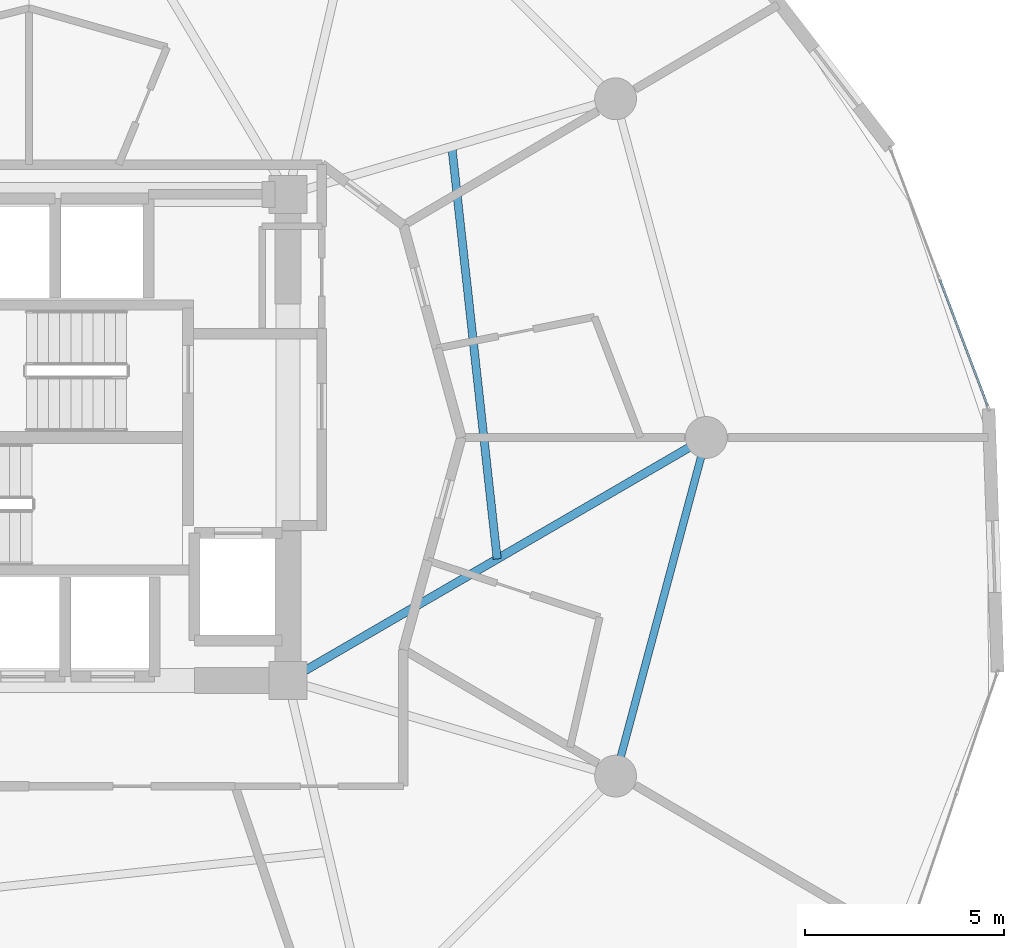
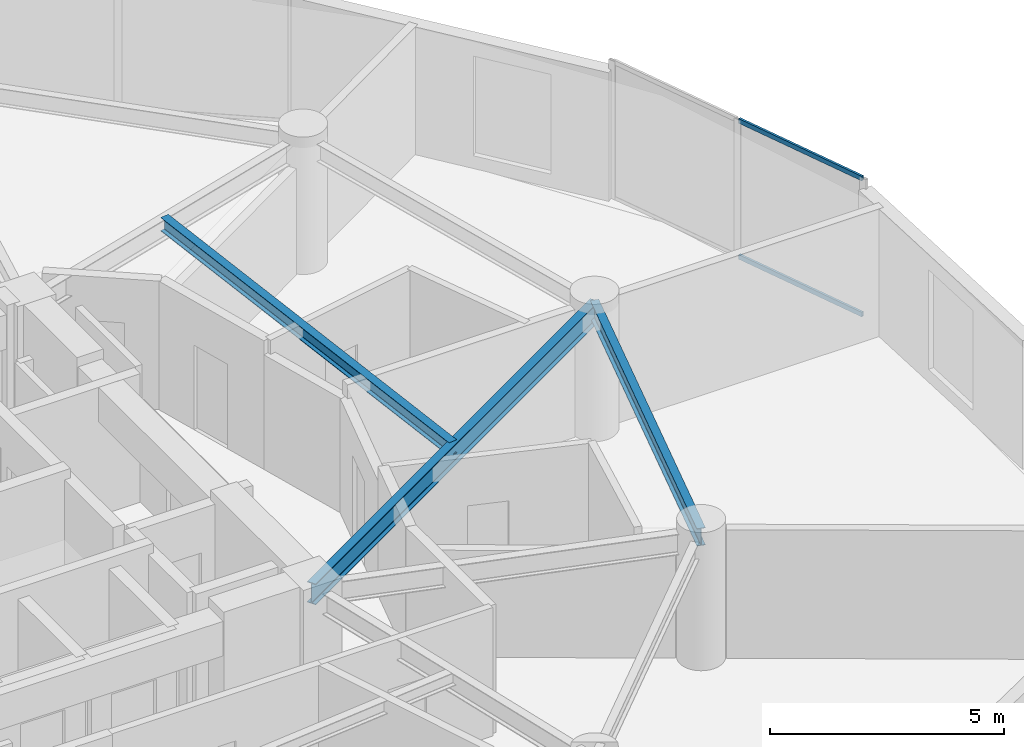
# One storey, part 12 of 25: 3 beams, 2 members, 1 element without a shape of its own.
"""IFC4 building model written with IfcOpenShell, lengths in metres."""

from ifc_helpers import new_model, si_unit, direction, frame, origin, origin_2d, place, context, subcontext, project, spatial, hollow_rectangle, i_section, extrude, source, transform, mapped, material, layer, layer_set, material_profile, profile_set, type_object, element, aggregate, save


model = new_model("IFC4")

# Units and contexts
model_context = context("Model", 3, precision=1e-05, world=origin(), true_north=direction((0.0, 1.0)))
body_context = subcontext(model_context, "Body", "Model", "MODEL_VIEW")
ifc_project = project(units=[si_unit("LENGTHUNIT", "METRE"), si_unit("AREAUNIT", "SQUARE_METRE"), si_unit("VOLUMEUNIT", "CUBIC_METRE"), si_unit("PLANEANGLEUNIT", "RADIAN"), si_unit("MASSUNIT", "GRAM", prefix="KILO")], contexts=[model_context])

# Site, building, storey
site_placement = place(None, origin())
site = spatial("IfcSite", under=ifc_project, at=site_placement, CompositionType="ELEMENT")
building_placement = place(site_placement, origin())
building = spatial("IfcBuilding", under=site, at=building_placement, Name="Solvirekh Grand Hotel", CompositionType="ELEMENT")
storey_placement = place(building_placement, frame((0.0, 0.0, 102.60009765625)))
storey = spatial("IfcBuildingStorey", under=building, at=storey_placement, Name="L25", CompositionType="ELEMENT", Elevation=102.60009765625)

# Beams
ifc_material_1 = material(Name="Steel S355", Category="steel")
ifc_material_profile_1 = material_profile(ifc_material_1, i_section(OverallWidth=0.2119140625, OverallDepth=0.5439453125, WebThickness=0.011962890625, FlangeThickness=0.01904296875, FilletRadius=0.013916015625, at=origin_2d()), Name="W530X123")
ifc_profile_set_1 = profile_set([ifc_material_profile_1], Name="Steel S355")
beam_type_1 = type_object("IfcBeamType", Name="Beam_Radial_W530H", PredefinedType="BEAM", material=ifc_profile_set_1)
beam_1_placement = place(storey_placement, frame((6.5, -6.10009765625, 3.077880859375), z_axis=(0.864670076815, 0.50234018181, 0.0), x_axis=(-0.50234018181, 0.864670076815, 0.0)))
element("IfcBeam", 1, at=beam_1_placement, inside=storey, type_object=beam_type_1, Name="L25 radial floor beam R01", PredefinedType="BEAM", context=body_context, shape_type="SweptSolid", body=[
    extrude(i_section(OverallWidth=0.2119140625, OverallDepth=0.5439453125, WebThickness=0.011962890625, FlangeThickness=0.01904296875, FilletRadius=0.013916015625, at=origin_2d()), origin(), (0.0, 0.0, 1.0), 12.143310546875),
])
ifc_material_profile_2 = material_profile(ifc_material_1, i_section(OverallWidth=0.2041015625, OverallDepth=0.35009765625, WebThickness=0.009033203125, FlangeThickness=0.014892578125, FilletRadius=0.010986328125, at=origin_2d()), Name="W360X72")
ifc_profile_set_2 = profile_set([ifc_material_profile_2], Name="Steel S355")
beam_type_2 = type_object("IfcBeamType", Name="Joist_Floor_W360", PredefinedType="JOIST", material=ifc_profile_set_2)
beam_2_placement = place(storey_placement, frame((11.75, -3.050048828125, 3.1748046875), z_axis=(-0.109378935301, 0.994000125006, 0.0), x_axis=(-0.994000125006, -0.109378935301, 0.0)))
element("IfcBeam", 2, at=beam_2_placement, inside=storey, type_object=beam_type_2, Name="L25 secondary composite floor joist 1", PredefinedType="JOIST", context=body_context, shape_type="SweptSolid", body=[
    extrude(i_section(OverallWidth=0.2041015625, OverallDepth=0.35009765625, WebThickness=0.009033203125, FlangeThickness=0.014892578125, FilletRadius=0.010986328125, at=origin_2d()), origin(), (0.0, 0.0, 1.0), 10.41259765625),
])
ifc_material_profile_3 = material_profile(ifc_material_1, i_section(OverallWidth=0.18994140625, OverallDepth=0.45703125, WebThickness=0.009033203125, FlangeThickness=0.013916015625, FilletRadius=0.012939453125, at=origin_2d()), Name="W460X74")
ifc_profile_set_3 = profile_set([ifc_material_profile_3], Name="Steel S355")
beam_type_3 = type_object("IfcBeamType", Name="Spandrel_Ring_W460", PredefinedType="SPANDREL", material=ifc_profile_set_3)
beam_3_placement = place(storey_placement, frame((14.721923828125, -8.5, 3.121826171875), z_axis=(0.258872908946, 0.965911391906, 0.0), x_axis=(-0.965911391906, 0.258872908946, 0.0)))
element("IfcBeam", 3, at=beam_3_placement, inside=storey, type_object=beam_type_3, Name="L25 perimeter spandrel beam 12", PredefinedType="SPANDREL", context=body_context, shape_type="SweptSolid", body=[
    extrude(i_section(OverallWidth=0.18994140625, OverallDepth=0.45703125, WebThickness=0.009033203125, FlangeThickness=0.013916015625, FilletRadius=0.012939453125, at=origin_2d()), origin(), (0.0, 0.0, 1.0), 8.800048828125),
])

# Curtain wall, members
ifc_material_2 = material(Name="Anodized Bronze Aluminium 6063-T6", Category="aluminium")
ifc_layer = layer(ifc_material_2, 0.175048828125)
ifc_layer_set = layer_set([ifc_layer], Name="Anodized Bronze Aluminium 6063-T6")
curtain_wall_type = type_object("IfcCurtainWallType", Name="CW_Sys3_MidZoneFlushBronzeCW", PredefinedType="NOTDEFINED", material=ifc_layer_set)
curtain_wall_placement = place(storey_placement, origin())
curtain_wall = element("IfcCurtainWall", 4, at=curtain_wall_placement, inside=storey, type_object=curtain_wall_type, Name="L25 unitised bronze-glass curtain wall CW-L25-C03", PredefinedType="NOTDEFINED")
ifc_material_profile_4 = material_profile(ifc_material_2, hollow_rectangle(XDim=0.054931640625, YDim=0.1201171875, WallThickness=0.00390625, at=origin_2d()), Name="ALU RHS 120X55X4")
ifc_profile_set_4 = profile_set([ifc_material_profile_4], Name="Anodized Bronze Aluminium 6063-T6")
member_type = type_object("IfcMemberType", Name="CWTransom_Sys3", PredefinedType="USERDEFINED", material=ifc_profile_set_4)
shared_shape = source(origin(), body_context, "Body", "SweptSolid", [
    extrude(hollow_rectangle(XDim=0.054931640625, YDim=0.1201171875, WallThickness=0.00390625, at=origin_2d()), origin(), (0.0, 0.0, 1.0), 3.397216796875),
])
member_1_placement = place(storey_placement, frame((24.06298828125, 0.78369140625, 0.02734375), z_axis=(-0.353492802233, 0.935437244699, 0.0), x_axis=(-0.935437244699, -0.353492802233, 0.0)))
member_1 = element("IfcMember", 5, at=member_1_placement, type_object=member_type, Name="U03 transom 1.1", ObjectType="TRANSOM", PredefinedType="USERDEFINED", context=body_context, shape_type="MappedRepresentation", body=[
    mapped(shared_shape, transform((0.0, 0.0, 0.0), x_axis=(1.0, 0.0, 0.0), y_axis=(0.0, 1.0, 0.0), z_axis=(0.0, 0.0, 1.0), scale=1.0)),
])
member_2_placement = place(storey_placement, frame((24.06298828125, 0.78369140625, 3.572509765625), z_axis=(-0.353492802233, 0.935437244699, 0.0), x_axis=(-0.935437244699, -0.353492802233, 0.0)))
member_2 = element("IfcMember", 6, at=member_2_placement, type_object=member_type, Name="U03 transom 1.2", ObjectType="TRANSOM", PredefinedType="USERDEFINED", context=body_context, shape_type="MappedRepresentation", body=[
    mapped(shared_shape, transform((0.0, 0.0, 0.0), x_axis=(1.0, 0.0, 0.0), y_axis=(0.0, 1.0, 0.0), z_axis=(0.0, 0.0, 1.0), scale=1.0)),
])
aggregate(curtain_wall, [member_1, member_2])

save(model, "model.ifc")
